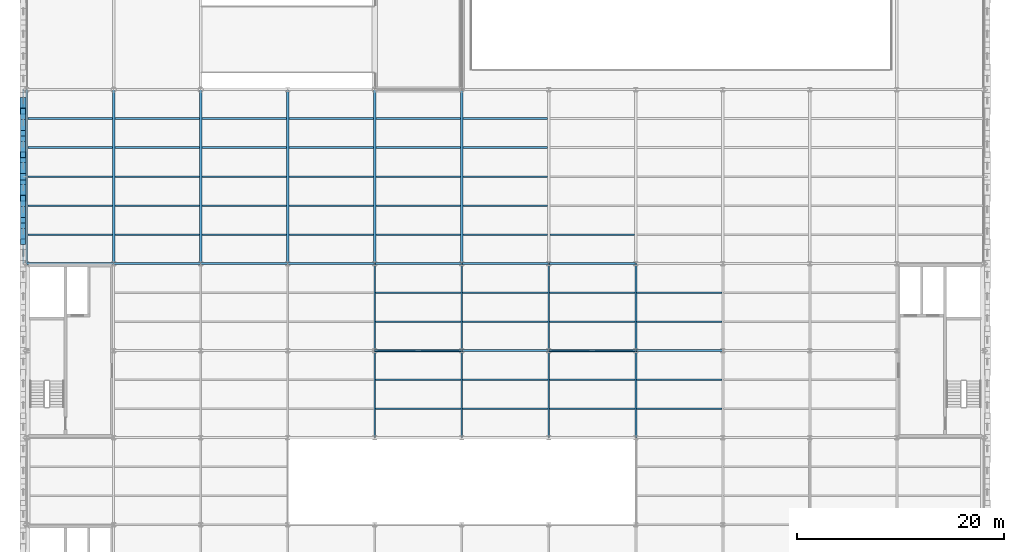
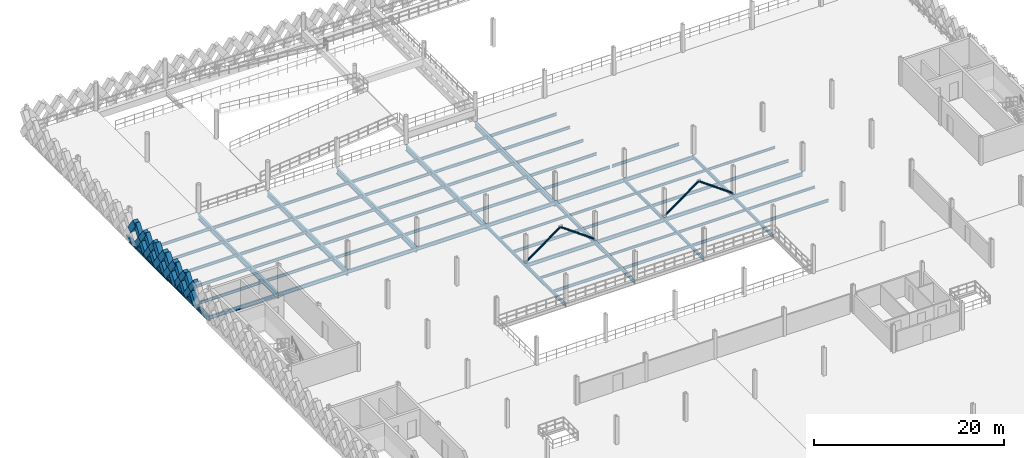
# One storey, part 23 of 62: 72 beams, 25 members.
"""IFC4 building model written with IfcOpenShell, lengths in metres."""

from ifc_helpers import new_model, si_unit, direction, frame, origin, origin_2d, place, context, subcontext, project, spatial, rectangle, hollow_rectangle, hollow_circle, i_section, extrude, material, material_profile, profile_set, type_object, element, save


model = new_model("IFC4")

# Units and contexts
model_context = context("Model", 3, precision=1e-05, world=origin(), true_north=direction((0.0, 1.0)))
body_context = subcontext(model_context, "Body", "Model", "MODEL_VIEW")
ifc_project = project(units=[si_unit("LENGTHUNIT", "METRE"), si_unit("AREAUNIT", "SQUARE_METRE"), si_unit("VOLUMEUNIT", "CUBIC_METRE"), si_unit("PLANEANGLEUNIT", "RADIAN"), si_unit("MASSUNIT", "GRAM", prefix="KILO"), si_unit("THERMODYNAMICTEMPERATUREUNIT", "KELVIN"), si_unit("POWERUNIT", "WATT")], contexts=[model_context])

# Site, building, storey
site_placement = place(None, origin())
site = spatial("IfcSite", under=ifc_project, at=site_placement, CompositionType="ELEMENT")
building_placement = place(site_placement, origin())
building = spatial("IfcBuilding", under=site, at=building_placement, Name="Tembeka Court Mobility Hub", CompositionType="ELEMENT")
storey_placement = place(building_placement, frame((0.0, 0.0, 16.199951171875)))
storey = spatial("IfcBuildingStorey", under=building, at=storey_placement, Name="L04", CompositionType="ELEMENT", Elevation=16.199951171875)

# Beams
ifc_material_1 = material(Name="Steel S355", Category="steel")
ifc_material_profile_1 = material_profile(ifc_material_1, i_section(OverallWidth=0.18994140625, OverallDepth=0.45703125, WebThickness=0.009033203125, FlangeThickness=0.014404296875, FilletRadius=0.01025390625, at=origin_2d()), Name="UKB 457x191x74")
ifc_profile_set_1 = profile_set([ifc_material_profile_1], Name="Steel S355")
beam_type_1 = type_object("IfcBeamType", Name="BM-B01", PredefinedType="BEAM", material=ifc_profile_set_1)
for number, where, z_axis, x_axis, name in (
    (1, (33.60009765625, 72.0, -0.448486328125), (1.0, 0.0, 0.0), (0.0, 1.0, 0.0), "Beam B01 (BM-L04-X2272)"),
    (2, (42.0, 72.0, -0.448486328125), (1.0, 0.0, 0.0), (0.0, 1.0, 0.0), "Beam B01 (BM-L04-X2273)"),
):
    element("IfcBeam", number, at=place(storey_placement, frame(where, z_axis=z_axis, x_axis=x_axis)), inside=storey, type_object=beam_type_1, Name=name, PredefinedType="BEAM", context=body_context, shape_type="SweptSolid", body=[
        extrude(i_section(OverallWidth=0.18994140625, OverallDepth=0.45703125, WebThickness=0.009033203125, FlangeThickness=0.014404296875, FilletRadius=0.01025390625, at=origin_2d()), origin(), (0.0, 0.0, 1.0), 8.39990234375),
    ])
beam_1_placement = place(storey_placement, frame((50.39990234375, 72.0, -0.448486328125), z_axis=(1.0, 0.0, 0.0), x_axis=(0.0, 1.0, 0.0)))
element("IfcBeam", 3, at=beam_1_placement, inside=storey, type_object=beam_type_1, Name="Beam B01 (BM-L04-X2274)", PredefinedType="BEAM", context=body_context, shape_type="SweptSolid", body=[
    extrude(i_section(OverallWidth=0.18994140625, OverallDepth=0.45703125, WebThickness=0.009033203125, FlangeThickness=0.014404296875, FilletRadius=0.01025390625, at=origin_2d()), origin(), (0.0, 0.0, 1.0), 8.400146484375),
])
for number, where, z_axis, x_axis, name in (
    (4, (58.800048828125, 72.0, -0.448486328125), (1.0, 0.0, 0.0), (0.0, 1.0, 0.0), "Beam B01 (BM-L04-X2275)"),
    (5, (0.0, 80.39990234375, -0.448486328125), (1.0, 0.0, 0.0), (0.0, 1.0, 0.0), "Beam B01 (BM-L04-X2278)"),
):
    element("IfcBeam", number, at=place(storey_placement, frame(where, z_axis=z_axis, x_axis=x_axis)), inside=storey, type_object=beam_type_1, Name=name, PredefinedType="BEAM", context=body_context, shape_type="SweptSolid", body=[
        extrude(i_section(OverallWidth=0.18994140625, OverallDepth=0.45703125, WebThickness=0.009033203125, FlangeThickness=0.014404296875, FilletRadius=0.01025390625, at=origin_2d()), origin(), (0.0, 0.0, 1.0), 8.39990234375),
    ])
beam_2_placement = place(storey_placement, frame((8.39990234375, 80.39990234375, -0.448486328125), z_axis=(1.0, 0.0, 0.0), x_axis=(0.0, 1.0, 0.0)))
element("IfcBeam", 6, at=beam_2_placement, inside=storey, type_object=beam_type_1, Name="Beam B01 (BM-L04-X2279)", PredefinedType="BEAM", context=body_context, shape_type="SweptSolid", body=[
    extrude(i_section(OverallWidth=0.18994140625, OverallDepth=0.45703125, WebThickness=0.009033203125, FlangeThickness=0.014404296875, FilletRadius=0.01025390625, at=origin_2d()), origin(), (0.0, 0.0, 1.0), 8.400146484375),
])
beam_3_placement = place(storey_placement, frame((16.800048828125, 80.39990234375, -0.448486328125), z_axis=(1.0, 0.0, 0.0), x_axis=(0.0, 1.0, 0.0)))
element("IfcBeam", 7, at=beam_3_placement, inside=storey, type_object=beam_type_1, Name="Beam B01 (BM-L04-X2280)", PredefinedType="BEAM", context=body_context, shape_type="SweptSolid", body=[
    extrude(i_section(OverallWidth=0.18994140625, OverallDepth=0.45703125, WebThickness=0.009033203125, FlangeThickness=0.014404296875, FilletRadius=0.01025390625, at=origin_2d()), origin(), (0.0, 0.0, 1.0), 8.39990234375),
])
beam_4_placement = place(storey_placement, frame((25.199951171875, 80.39990234375, -0.448486328125), z_axis=(1.0, 0.0, 0.0), x_axis=(0.0, 1.0, 0.0)))
element("IfcBeam", 8, at=beam_4_placement, inside=storey, type_object=beam_type_1, Name="Beam B01 (BM-L04-X2281)", PredefinedType="BEAM", context=body_context, shape_type="SweptSolid", body=[
    extrude(i_section(OverallWidth=0.18994140625, OverallDepth=0.45703125, WebThickness=0.009033203125, FlangeThickness=0.014404296875, FilletRadius=0.01025390625, at=origin_2d()), origin(), (0.0, 0.0, 1.0), 8.400146484375),
])
for number, where, z_axis, x_axis, name in (
    (9, (33.60009765625, 80.39990234375, -0.448486328125), (1.0, 0.0, 0.0), (0.0, 1.0, 0.0), "Beam B01 (BM-L04-X2282)"),
    (10, (42.0, 80.39990234375, -0.448486328125), (1.0, 0.0, 0.0), (0.0, 1.0, 0.0), "Beam B01 (BM-L04-X2283)"),
):
    element("IfcBeam", number, at=place(storey_placement, frame(where, z_axis=z_axis, x_axis=x_axis)), inside=storey, type_object=beam_type_1, Name=name, PredefinedType="BEAM", context=body_context, shape_type="SweptSolid", body=[
        extrude(i_section(OverallWidth=0.18994140625, OverallDepth=0.45703125, WebThickness=0.009033203125, FlangeThickness=0.014404296875, FilletRadius=0.01025390625, at=origin_2d()), origin(), (0.0, 0.0, 1.0), 8.39990234375),
    ])
beam_5_placement = place(storey_placement, frame((50.39990234375, 80.39990234375, -0.448486328125), z_axis=(1.0, 0.0, 0.0), x_axis=(0.0, 1.0, 0.0)))
element("IfcBeam", 11, at=beam_5_placement, inside=storey, type_object=beam_type_1, Name="Beam B01 (BM-L04-X2284)", PredefinedType="BEAM", context=body_context, shape_type="SweptSolid", body=[
    extrude(i_section(OverallWidth=0.18994140625, OverallDepth=0.45703125, WebThickness=0.009033203125, FlangeThickness=0.014404296875, FilletRadius=0.01025390625, at=origin_2d()), origin(), (0.0, 0.0, 1.0), 8.400146484375),
])
ifc_material_profile_2 = material_profile(ifc_material_1, i_section(OverallWidth=0.177978515625, OverallDepth=0.406005859375, WebThickness=0.0078125, FlangeThickness=0.0126953125, FilletRadius=0.01025390625, at=origin_2d()), Name="UKB 406x178x60")
ifc_profile_set_2 = profile_set([ifc_material_profile_2], Name="Steel S355")
beam_type_2 = type_object("IfcBeamType", Name="BM-B02", PredefinedType="BEAM", material=ifc_profile_set_2)
for number, where, z_axis, x_axis, name in (
    (12, (33.60009765625, 63.60009765625, -0.4228515625), (0.0, 1.0, 0.0), (-1.0, 0.0, 0.0), "Beam B02 (BM-L04-Y2356)"),
    (13, (33.60009765625, 72.0, -0.4228515625), (0.0, 1.0, 0.0), (-1.0, 0.0, 0.0), "Beam B02 (BM-L04-Y2357)"),
    (14, (42.0, 63.60009765625, -0.4228515625), (0.0, 1.0, 0.0), (-1.0, 0.0, 0.0), "Beam B02 (BM-L04-Y2364)"),
    (15, (42.0, 72.0, -0.4228515625), (0.0, 1.0, 0.0), (-1.0, 0.0, 0.0), "Beam B02 (BM-L04-Y2365)"),
    (16, (50.39990234375, 63.60009765625, -0.4228515625), (0.0, 1.0, 0.0), (-1.0, 0.0, 0.0), "Beam B02 (BM-L04-Y2372)"),
    (17, (50.39990234375, 72.0, -0.4228515625), (0.0, 1.0, 0.0), (-1.0, 0.0, 0.0), "Beam B02 (BM-L04-Y2373)"),
    (18, (58.800048828125, 63.60009765625, -0.4228515625), (0.0, 1.0, 0.0), (-1.0, 0.0, 0.0), "Beam B02 (BM-L04-Y2379)"),
    (19, (58.800048828125, 72.0, -0.4228515625), (0.0, 1.0, 0.0), (-1.0, 0.0, 0.0), "Beam B02 (BM-L04-Y2380)"),
):
    element("IfcBeam", number, at=place(storey_placement, frame(where, z_axis=z_axis, x_axis=x_axis)), inside=storey, type_object=beam_type_2, Name=name, PredefinedType="BEAM", context=body_context, shape_type="SweptSolid", body=[
        extrude(i_section(OverallWidth=0.177978515625, OverallDepth=0.406005859375, WebThickness=0.0078125, FlangeThickness=0.0126953125, FilletRadius=0.01025390625, at=origin_2d()), origin(), (0.0, 0.0, 1.0), 8.39990234375),
    ])
ifc_material_profile_3 = material_profile(ifc_material_1, i_section(OverallWidth=0.25390625, OverallDepth=0.68408203125, WebThickness=0.012451171875, FlangeThickness=0.01904296875, FilletRadius=0.01513671875, at=origin_2d()), Name="UKB 686x254x140")
ifc_profile_set_3 = profile_set([ifc_material_profile_3], Name="Steel S355")
beam_type_3 = type_object("IfcBeamType", Name="BM-G01", PredefinedType="USERDEFINED", material=ifc_profile_set_3)
for number, where, z_axis, x_axis, name in (
    (20, (0.0, 80.39990234375, -0.56201171875), (0.0, 1.0, 0.0), (-1.0, 0.0, 0.0), "Beam G01 (BM-L04-Y2321)"),
    (21, (8.39990234375, 80.39990234375, -0.592041015625), (0.0, 1.0, 0.0), (-1.0, 0.0, 0.0), "Beam G01 (BM-L04-Y2332)"),
    (22, (16.800048828125, 80.39990234375, -0.592041015625), (0.0, 1.0, 0.0), (-1.0, 0.0, 0.0), "Beam G01 (BM-L04-Y2343)"),
    (23, (25.199951171875, 80.39990234375, -0.56201171875), (0.0, 1.0, 0.0), (-1.0, 0.0, 0.0), "Beam G01 (BM-L04-Y2352)"),
    (24, (33.60009765625, 80.39990234375, -0.56201171875), (0.0, 1.0, 0.0), (-1.0, 0.0, 0.0), "Beam G01 (BM-L04-Y2358)"),
    (25, (42.0, 80.39990234375, -0.56201171875), (0.0, 1.0, 0.0), (-1.0, 0.0, 0.0), "Beam G01 (BM-L04-Y2366)"),
):
    element("IfcBeam", number, at=place(storey_placement, frame(where, z_axis=z_axis, x_axis=x_axis)), inside=storey, type_object=beam_type_3, Name=name, ObjectType="GIRDER", PredefinedType="USERDEFINED", context=body_context, shape_type="SweptSolid", body=[
        extrude(i_section(OverallWidth=0.25390625, OverallDepth=0.68408203125, WebThickness=0.012451171875, FlangeThickness=0.01904296875, FilletRadius=0.01513671875, at=origin_2d()), origin(), (0.0, 0.0, 1.0), 16.800048828125),
    ])
ifc_material_profile_4 = material_profile(ifc_material_1, i_section(OverallWidth=0.172119140625, OverallDepth=0.35498046875, WebThickness=0.00732421875, FlangeThickness=0.011474609375, FilletRadius=0.01025390625, at=origin_2d()), Name="UKB 356x171x51")
ifc_profile_set_4 = profile_set([ifc_material_profile_4], Name="Steel S355")
beam_type_4 = type_object("IfcBeamType", Name="BM-J01", PredefinedType="JOIST", material=ifc_profile_set_4)
for number, where, z_axis, x_axis, name in (
    (26, (0.1220703125, 83.199951171875, -0.3974609375), (1.0, 0.0, 0.0), (0.0, 1.0, 0.0), "Beam J01 (JST-L04-2445)"),
    (27, (0.1220703125, 86.0, -0.3974609375), (1.0, 0.0, 0.0), (0.0, 1.0, 0.0), "Beam J01 (JST-L04-2446)"),
    (28, (0.1220703125, 88.800048828125, -0.3974609375), (1.0, 0.0, 0.0), (0.0, 1.0, 0.0), "Beam J01 (JST-L04-2447)"),
    (29, (0.1220703125, 91.60009765625, -0.3974609375), (1.0, 0.0, 0.0), (0.0, 1.0, 0.0), "Beam J01 (JST-L04-2448)"),
    (30, (0.1220703125, 94.39990234375, -0.3974609375), (1.0, 0.0, 0.0), (0.0, 1.0, 0.0), "Beam J01 (JST-L04-2449)"),
    (31, (8.52197265625, 83.199951171875, -0.3974609375), (1.0, 0.0, 0.0), (0.0, 1.0, 0.0), "Beam J01 (JST-L04-2465)"),
    (32, (8.52197265625, 86.0, -0.3974609375), (1.0, 0.0, 0.0), (0.0, 1.0, 0.0), "Beam J01 (JST-L04-2466)"),
    (33, (8.52197265625, 88.800048828125, -0.3974609375), (1.0, 0.0, 0.0), (0.0, 1.0, 0.0), "Beam J01 (JST-L04-2467)"),
    (34, (8.52197265625, 91.60009765625, -0.3974609375), (1.0, 0.0, 0.0), (0.0, 1.0, 0.0), "Beam J01 (JST-L04-2468)"),
    (35, (8.52197265625, 94.39990234375, -0.3974609375), (1.0, 0.0, 0.0), (0.0, 1.0, 0.0), "Beam J01 (JST-L04-2469)"),
):
    element("IfcBeam", number, at=place(storey_placement, frame(where, z_axis=z_axis, x_axis=x_axis)), inside=storey, type_object=beam_type_4, Name=name, PredefinedType="JOIST", context=body_context, shape_type="SweptSolid", body=[
        extrude(i_section(OverallWidth=0.172119140625, OverallDepth=0.35498046875, WebThickness=0.00732421875, FlangeThickness=0.011474609375, FilletRadius=0.01025390625, at=origin_2d()), origin(), (0.0, 0.0, 1.0), 8.156005859375),
    ])
for number, where, z_axis, x_axis, name in (
    (36, (16.922119140625, 83.199951171875, -0.3974609375), (1.0, 0.0, 0.0), (0.0, 1.0, 0.0), "Beam J01 (JST-L04-2485)"),
    (37, (16.922119140625, 86.0, -0.3974609375), (1.0, 0.0, 0.0), (0.0, 1.0, 0.0), "Beam J01 (JST-L04-2486)"),
    (38, (16.922119140625, 88.800048828125, -0.3974609375), (1.0, 0.0, 0.0), (0.0, 1.0, 0.0), "Beam J01 (JST-L04-2487)"),
    (39, (16.922119140625, 91.60009765625, -0.3974609375), (1.0, 0.0, 0.0), (0.0, 1.0, 0.0), "Beam J01 (JST-L04-2488)"),
    (40, (16.922119140625, 94.39990234375, -0.3974609375), (1.0, 0.0, 0.0), (0.0, 1.0, 0.0), "Beam J01 (JST-L04-2489)"),
):
    element("IfcBeam", number, at=place(storey_placement, frame(where, z_axis=z_axis, x_axis=x_axis)), inside=storey, type_object=beam_type_4, Name=name, PredefinedType="JOIST", context=body_context, shape_type="SweptSolid", body=[
        extrude(i_section(OverallWidth=0.172119140625, OverallDepth=0.35498046875, WebThickness=0.00732421875, FlangeThickness=0.011474609375, FilletRadius=0.01025390625, at=origin_2d()), origin(), (0.0, 0.0, 1.0), 8.15576171875),
    ])
for number, where, z_axis, x_axis, name in (
    (41, (25.322021484375, 83.199951171875, -0.3974609375), (1.0, 0.0, 0.0), (0.0, 1.0, 0.0), "Beam J01 (JST-L04-2503)"),
    (42, (25.322021484375, 86.0, -0.3974609375), (1.0, 0.0, 0.0), (0.0, 1.0, 0.0), "Beam J01 (JST-L04-2504)"),
    (43, (25.322021484375, 88.800048828125, -0.3974609375), (1.0, 0.0, 0.0), (0.0, 1.0, 0.0), "Beam J01 (JST-L04-2505)"),
    (44, (25.322021484375, 91.60009765625, -0.3974609375), (1.0, 0.0, 0.0), (0.0, 1.0, 0.0), "Beam J01 (JST-L04-2506)"),
    (45, (25.322021484375, 94.39990234375, -0.3974609375), (1.0, 0.0, 0.0), (0.0, 1.0, 0.0), "Beam J01 (JST-L04-2507)"),
    (46, (33.721923828125, 83.199951171875, -0.3974609375), (1.0, 0.0, 0.0), (0.0, 1.0, 0.0), "Beam J01 (JST-L04-2521)"),
    (47, (33.721923828125, 86.0, -0.3974609375), (1.0, 0.0, 0.0), (0.0, 1.0, 0.0), "Beam J01 (JST-L04-2522)"),
    (48, (33.721923828125, 88.800048828125, -0.3974609375), (1.0, 0.0, 0.0), (0.0, 1.0, 0.0), "Beam J01 (JST-L04-2523)"),
    (49, (33.721923828125, 91.60009765625, -0.3974609375), (1.0, 0.0, 0.0), (0.0, 1.0, 0.0), "Beam J01 (JST-L04-2524)"),
    (50, (33.721923828125, 94.39990234375, -0.3974609375), (1.0, 0.0, 0.0), (0.0, 1.0, 0.0), "Beam J01 (JST-L04-2525)"),
    (51, (42.1220703125, 83.199951171875, -0.3974609375), (1.0, 0.0, 0.0), (0.0, 1.0, 0.0), "Beam J01 (JST-L04-2539)"),
    (52, (42.1220703125, 86.0, -0.3974609375), (1.0, 0.0, 0.0), (0.0, 1.0, 0.0), "Beam J01 (JST-L04-2540)"),
    (53, (42.1220703125, 88.800048828125, -0.3974609375), (1.0, 0.0, 0.0), (0.0, 1.0, 0.0), "Beam J01 (JST-L04-2541)"),
    (54, (42.1220703125, 91.60009765625, -0.3974609375), (1.0, 0.0, 0.0), (0.0, 1.0, 0.0), "Beam J01 (JST-L04-2542)"),
    (55, (42.1220703125, 94.39990234375, -0.3974609375), (1.0, 0.0, 0.0), (0.0, 1.0, 0.0), "Beam J01 (JST-L04-2543)"),
    (56, (50.52197265625, 83.199951171875, -0.3974609375), (1.0, 0.0, 0.0), (0.0, 1.0, 0.0), "Beam J01 (JST-L04-2557)"),
):
    element("IfcBeam", number, at=place(storey_placement, frame(where, z_axis=z_axis, x_axis=x_axis)), inside=storey, type_object=beam_type_4, Name=name, PredefinedType="JOIST", context=body_context, shape_type="SweptSolid", body=[
        extrude(i_section(OverallWidth=0.172119140625, OverallDepth=0.35498046875, WebThickness=0.00732421875, FlangeThickness=0.011474609375, FilletRadius=0.01025390625, at=origin_2d()), origin(), (0.0, 0.0, 1.0), 8.156005859375),
    ])
ifc_material_profile_5 = material_profile(ifc_material_1, i_section(OverallWidth=0.1650390625, OverallDepth=0.303955078125, WebThickness=0.006103515625, FlangeThickness=0.01025390625, FilletRadius=0.0087890625, at=origin_2d()), Name="UKB 305x165x40")
ifc_profile_set_5 = profile_set([ifc_material_profile_5], Name="Steel S355")
beam_type_5 = type_object("IfcBeamType", Name="BM-J02", PredefinedType="JOIST", material=ifc_profile_set_5)
for number, where, z_axis, x_axis, name in (
    (57, (33.68408203125, 69.199951171875, -0.3720703125), (1.0, 0.0, 0.0), (0.0, 1.0, 0.0), "Beam J02 (JST-L04-2518)"),
    (58, (33.68408203125, 77.60009765625, -0.3720703125), (1.0, 0.0, 0.0), (0.0, 1.0, 0.0), "Beam J02 (JST-L04-2520)"),
    (59, (42.083984375, 69.199951171875, -0.3720703125), (1.0, 0.0, 0.0), (0.0, 1.0, 0.0), "Beam J02 (JST-L04-2536)"),
    (60, (42.083984375, 77.60009765625, -0.3720703125), (1.0, 0.0, 0.0), (0.0, 1.0, 0.0), "Beam J02 (JST-L04-2538)"),
):
    element("IfcBeam", number, at=place(storey_placement, frame(where, z_axis=z_axis, x_axis=x_axis)), inside=storey, type_object=beam_type_5, Name=name, PredefinedType="JOIST", context=body_context, shape_type="SweptSolid", body=[
        extrude(i_section(OverallWidth=0.1650390625, OverallDepth=0.303955078125, WebThickness=0.006103515625, FlangeThickness=0.01025390625, FilletRadius=0.0087890625, at=origin_2d()), origin(), (0.0, 0.0, 1.0), 8.23193359375),
    ])
for number, where, z_axis, x_axis, name in (
    (61, (50.48388671875, 69.199951171875, -0.3720703125), (1.0, 0.0, 0.0), (0.0, 1.0, 0.0), "Beam J02 (JST-L04-2554)"),
    (62, (50.48388671875, 77.60009765625, -0.3720703125), (1.0, 0.0, 0.0), (0.0, 1.0, 0.0), "Beam J02 (JST-L04-2556)"),
):
    element("IfcBeam", number, at=place(storey_placement, frame(where, z_axis=z_axis, x_axis=x_axis)), inside=storey, type_object=beam_type_5, Name=name, PredefinedType="JOIST", context=body_context, shape_type="SweptSolid", body=[
        extrude(i_section(OverallWidth=0.1650390625, OverallDepth=0.303955078125, WebThickness=0.006103515625, FlangeThickness=0.01025390625, FilletRadius=0.0087890625, at=origin_2d()), origin(), (0.0, 0.0, 1.0), 8.232177734375),
    ])
for number, where, z_axis, x_axis, name in (
    (63, (58.884033203125, 69.199951171875, -0.3720703125), (1.0, 0.0, 0.0), (0.0, 1.0, 0.0), "Beam J02 (JST-L04-2574)"),
    (64, (58.884033203125, 77.60009765625, -0.3720703125), (1.0, 0.0, 0.0), (0.0, 1.0, 0.0), "Beam J02 (JST-L04-2576)"),
):
    element("IfcBeam", number, at=place(storey_placement, frame(where, z_axis=z_axis, x_axis=x_axis)), inside=storey, type_object=beam_type_5, Name=name, PredefinedType="JOIST", context=body_context, shape_type="SweptSolid", body=[
        extrude(i_section(OverallWidth=0.1650390625, OverallDepth=0.303955078125, WebThickness=0.006103515625, FlangeThickness=0.01025390625, FilletRadius=0.0087890625, at=origin_2d()), origin(), (0.0, 0.0, 1.0), 8.23193359375),
    ])
ifc_material_profile_6 = material_profile(ifc_material_1, i_section(OverallWidth=0.169921875, OverallDepth=0.360107421875, WebThickness=0.008056640625, FlangeThickness=0.0126953125, FilletRadius=0.01806640625, at=origin_2d()), Name="IPE 360")
ifc_profile_set_6 = profile_set([ifc_material_profile_6], Name="Steel S355")
beam_type_6 = type_object("IfcBeamType", Name="BM-J03", PredefinedType="JOIST", material=ifc_profile_set_6)
for number, where, z_axis, x_axis, name in (
    (65, (33.68408203125, 66.39990234375, -0.39990234375), (1.0, 0.0, 0.0), (0.0, 1.0, 0.0), "Beam J03 (JST-L04-2517)"),
    (66, (33.68408203125, 74.800048828125, -0.39990234375), (1.0, 0.0, 0.0), (0.0, 1.0, 0.0), "Beam J03 (JST-L04-2519)"),
    (67, (42.083984375, 66.39990234375, -0.39990234375), (1.0, 0.0, 0.0), (0.0, 1.0, 0.0), "Beam J03 (JST-L04-2535)"),
    (68, (42.083984375, 74.800048828125, -0.39990234375), (1.0, 0.0, 0.0), (0.0, 1.0, 0.0), "Beam J03 (JST-L04-2537)"),
):
    element("IfcBeam", number, at=place(storey_placement, frame(where, z_axis=z_axis, x_axis=x_axis)), inside=storey, type_object=beam_type_6, Name=name, PredefinedType="JOIST", context=body_context, shape_type="SweptSolid", body=[
        extrude(i_section(OverallWidth=0.169921875, OverallDepth=0.360107421875, WebThickness=0.008056640625, FlangeThickness=0.0126953125, FilletRadius=0.01806640625, at=origin_2d()), origin(), (0.0, 0.0, 1.0), 8.23193359375),
    ])
for number, where, z_axis, x_axis, name in (
    (69, (50.48388671875, 66.39990234375, -0.39990234375), (1.0, 0.0, 0.0), (0.0, 1.0, 0.0), "Beam J03 (JST-L04-2553)"),
    (70, (50.48388671875, 74.800048828125, -0.39990234375), (1.0, 0.0, 0.0), (0.0, 1.0, 0.0), "Beam J03 (JST-L04-2555)"),
):
    element("IfcBeam", number, at=place(storey_placement, frame(where, z_axis=z_axis, x_axis=x_axis)), inside=storey, type_object=beam_type_6, Name=name, PredefinedType="JOIST", context=body_context, shape_type="SweptSolid", body=[
        extrude(i_section(OverallWidth=0.169921875, OverallDepth=0.360107421875, WebThickness=0.008056640625, FlangeThickness=0.0126953125, FilletRadius=0.01806640625, at=origin_2d()), origin(), (0.0, 0.0, 1.0), 8.232177734375),
    ])
for number, where, z_axis, x_axis, name in (
    (71, (58.884033203125, 66.39990234375, -0.39990234375), (1.0, 0.0, 0.0), (0.0, 1.0, 0.0), "Beam J03 (JST-L04-2573)"),
    (72, (58.884033203125, 74.800048828125, -0.39990234375), (1.0, 0.0, 0.0), (0.0, 1.0, 0.0), "Beam J03 (JST-L04-2575)"),
):
    element("IfcBeam", number, at=place(storey_placement, frame(where, z_axis=z_axis, x_axis=x_axis)), inside=storey, type_object=beam_type_6, Name=name, PredefinedType="JOIST", context=body_context, shape_type="SweptSolid", body=[
        extrude(i_section(OverallWidth=0.169921875, OverallDepth=0.360107421875, WebThickness=0.008056640625, FlangeThickness=0.0126953125, FilletRadius=0.01806640625, at=origin_2d()), origin(), (0.0, 0.0, 1.0), 8.23193359375),
    ])

# Members
ifc_material_profile_7 = material_profile(ifc_material_1, hollow_circle(Radius=0.109619140625, WallThickness=0.010009765625, at=origin_2d()), Name="CHS 219.1x10")
ifc_profile_set_7 = profile_set([ifc_material_profile_7], Name="Steel S355")
member_type_1 = type_object("IfcMemberType", Name="MEM-BR01", PredefinedType="BRACE", material=ifc_profile_set_7)
for number, where, z_axis, x_axis, name in (
    (73, (33.60009765625, 72.0, 0.02001953125), (0.81097870636, 0.0, 0.585075668466), (0.0, 1.0, 0.0), "Steel chevron brace BR01 (L04-5A)"),
    (74, (42.0, 72.0, 0.02001953125), (-0.81097870636, 0.0, 0.585075668466), (0.0, -1.0, 0.0), "Steel chevron brace BR01 (L04-5B)"),
    (75, (50.39990234375, 72.0, 0.02001953125), (0.810994842677, 0.0, 0.58505330112), (0.0, 1.0, 0.0), "Steel chevron brace BR01 (L04-11A)"),
    (76, (58.800048828125, 72.0, 0.02001953125), (-0.81097870636, 0.0, 0.585075668466), (0.0, -1.0, 0.0), "Steel chevron brace BR01 (L04-11B)"),
):
    element("IfcMember", number, at=place(storey_placement, frame(where, z_axis=z_axis, x_axis=x_axis)), inside=storey, type_object=member_type_1, Name=name, PredefinedType="BRACE", context=body_context, shape_type="SweptSolid", body=[
        extrude(hollow_circle(Radius=0.109619140625, WallThickness=0.010009765625, at=origin_2d()), origin(), (0.0, 0.0, 1.0), 5.178955078125),
    ])
ifc_material_2 = material(Name="Precast concrete C45/55", Category="concrete")
ifc_material_profile_8 = material_profile(ifc_material_2, rectangle(XDim=0.5, YDim=0.64990234375, at=origin_2d()), Name="PC-DIAG 500x650")
ifc_profile_set_8 = profile_set([ifc_material_profile_8], Name="Precast concrete C45/55")
member_type_2 = type_object("IfcMemberType", Name="MEM-DL01", PredefinedType="BRACE", material=ifc_profile_set_8)
member_1_placement = place(storey_placement, frame((-0.340087890625, 82.5, 0.02001953125), z_axis=(0.0, 0.582576362011, 0.812775973086), x_axis=(-1.0, 0.0, 0.0)))
element("IfcMember", 77, at=member_1_placement, inside=storey, type_object=member_type_2, Name="Precast diamond lattice continuous strand DL01 (L04-716C)", PredefinedType="BRACE", context=body_context, shape_type="SweptSolid", body=[
    extrude(rectangle(XDim=0.5, YDim=0.64990234375, at=origin_2d()), origin(), (0.0, 0.0, 1.0), 3.604736328125),
])
member_2_placement = place(storey_placement, frame((-0.340087890625, 84.60009765625, 0.02001953125), z_axis=(0.0, -0.582544294934, 0.812798956963), x_axis=(1.0, 0.0, 0.0)))
element("IfcMember", 78, at=member_2_placement, inside=storey, type_object=member_type_2, Name="Precast diamond lattice split lower strand DL01 (L04-716D1)", PredefinedType="BRACE", context=body_context, shape_type="SweptSolid", body=[
    extrude(rectangle(XDim=0.5, YDim=0.64990234375, at=origin_2d()), origin(), (0.0, 0.0, 1.0), 1.802490234375),
])
member_3_placement = place(storey_placement, frame((-0.340087890625, 83.550048828125, 1.485107421875), z_axis=(0.0, -0.582608431711, 0.812752985414), x_axis=(1.0, 0.0, 0.0)))
element("IfcMember", 79, at=member_3_placement, inside=storey, type_object=member_type_2, Name="Precast diamond lattice split upper strand DL01 (L04-716D2)", PredefinedType="BRACE", context=body_context, shape_type="SweptSolid", body=[
    extrude(rectangle(XDim=0.5, YDim=0.64990234375, at=origin_2d()), origin(), (0.0, 0.0, 1.0), 1.80224609375),
])
member_4_placement = place(storey_placement, frame((-0.340087890625, 84.60009765625, 0.02001953125), z_axis=(0.0, 0.58253161945, 0.812808041509), x_axis=(-1.0, 0.0, 0.0)))
element("IfcMember", 80, at=member_4_placement, inside=storey, type_object=member_type_2, Name="Precast diamond lattice continuous strand DL01 (L04-717C)", PredefinedType="BRACE", context=body_context, shape_type="SweptSolid", body=[
    extrude(rectangle(XDim=0.5, YDim=0.64990234375, at=origin_2d()), origin(), (0.0, 0.0, 1.0), 3.604736328125),
])
member_5_placement = place(storey_placement, frame((-0.340087890625, 86.699951171875, 0.02001953125), z_axis=(0.0, -0.582544294934, 0.812798956963), x_axis=(1.0, 0.0, 0.0)))
element("IfcMember", 81, at=member_5_placement, inside=storey, type_object=member_type_2, Name="Precast diamond lattice split lower strand DL01 (L04-717D1)", PredefinedType="BRACE", context=body_context, shape_type="SweptSolid", body=[
    extrude(rectangle(XDim=0.5, YDim=0.64990234375, at=origin_2d()), origin(), (0.0, 0.0, 1.0), 1.802490234375),
])
member_6_placement = place(storey_placement, frame((-0.340087890625, 85.64990234375, 1.485107421875), z_axis=(0.0, -0.582518941428, 0.812817127574), x_axis=(1.0, 0.0, 0.0)))
element("IfcMember", 82, at=member_6_placement, inside=storey, type_object=member_type_2, Name="Precast diamond lattice split upper strand DL01 (L04-717D2)", PredefinedType="BRACE", context=body_context, shape_type="SweptSolid", body=[
    extrude(rectangle(XDim=0.5, YDim=0.64990234375, at=origin_2d()), origin(), (0.0, 0.0, 1.0), 1.80224609375),
])
member_7_placement = place(storey_placement, frame((-0.340087890625, 90.89990234375, 0.02001953125), z_axis=(0.0, 0.582576362011, 0.812775973086), x_axis=(-1.0, 0.0, 0.0)))
element("IfcMember", 83, at=member_7_placement, inside=storey, type_object=member_type_2, Name="Precast diamond lattice continuous strand DL01 (L04-720C)", PredefinedType="BRACE", context=body_context, shape_type="SweptSolid", body=[
    extrude(rectangle(XDim=0.5, YDim=0.64990234375, at=origin_2d()), origin(), (0.0, 0.0, 1.0), 3.604736328125),
])
member_8_placement = place(storey_placement, frame((-0.340087890625, 93.0, 0.02001953125), z_axis=(0.0, -0.582544294934, 0.812798956963), x_axis=(1.0, 0.0, 0.0)))
element("IfcMember", 84, at=member_8_placement, inside=storey, type_object=member_type_2, Name="Precast diamond lattice split lower strand DL01 (L04-720D1)", PredefinedType="BRACE", context=body_context, shape_type="SweptSolid", body=[
    extrude(rectangle(XDim=0.5, YDim=0.64990234375, at=origin_2d()), origin(), (0.0, 0.0, 1.0), 1.802490234375),
])
member_9_placement = place(storey_placement, frame((-0.340087890625, 91.949951171875, 1.485107421875), z_axis=(0.0, -0.582608431711, 0.812752985414), x_axis=(1.0, 0.0, 0.0)))
element("IfcMember", 85, at=member_9_placement, inside=storey, type_object=member_type_2, Name="Precast diamond lattice split upper strand DL01 (L04-720D2)", PredefinedType="BRACE", context=body_context, shape_type="SweptSolid", body=[
    extrude(rectangle(XDim=0.5, YDim=0.64990234375, at=origin_2d()), origin(), (0.0, 0.0, 1.0), 1.80224609375),
])
member_10_placement = place(storey_placement, frame((-0.340087890625, 93.0, 0.02001953125), z_axis=(0.0, 0.582576362011, 0.812775973086), x_axis=(-1.0, 0.0, 0.0)))
element("IfcMember", 86, at=member_10_placement, inside=storey, type_object=member_type_2, Name="Precast diamond lattice continuous strand DL01 (L04-721C)", PredefinedType="BRACE", context=body_context, shape_type="SweptSolid", body=[
    extrude(rectangle(XDim=0.5, YDim=0.64990234375, at=origin_2d()), origin(), (0.0, 0.0, 1.0), 3.604736328125),
])
member_11_placement = place(storey_placement, frame((-0.340087890625, 95.10009765625, 0.02001953125), z_axis=(0.0, -0.582544294934, 0.812798956963), x_axis=(1.0, 0.0, 0.0)))
element("IfcMember", 87, at=member_11_placement, inside=storey, type_object=member_type_2, Name="Precast diamond lattice split lower strand DL01 (L04-721D1)", PredefinedType="BRACE", context=body_context, shape_type="SweptSolid", body=[
    extrude(rectangle(XDim=0.5, YDim=0.64990234375, at=origin_2d()), origin(), (0.0, 0.0, 1.0), 1.802490234375),
])
member_12_placement = place(storey_placement, frame((-0.340087890625, 94.050048828125, 1.485107421875), z_axis=(0.0, -0.582608431711, 0.812752985414), x_axis=(1.0, 0.0, 0.0)))
element("IfcMember", 88, at=member_12_placement, inside=storey, type_object=member_type_2, Name="Precast diamond lattice split upper strand DL01 (L04-721D2)", PredefinedType="BRACE", context=body_context, shape_type="SweptSolid", body=[
    extrude(rectangle(XDim=0.5, YDim=0.64990234375, at=origin_2d()), origin(), (0.0, 0.0, 1.0), 1.80224609375),
])
ifc_material_profile_9 = material_profile(ifc_material_2, rectangle(XDim=0.60009765625, YDim=0.75, at=origin_2d()), Name="PC-DIAG 600x750")
ifc_profile_set_9 = profile_set([ifc_material_profile_9], Name="Precast concrete C45/55")
member_type_3 = type_object("IfcMemberType", Name="MEM-DL02", PredefinedType="BRACE", material=ifc_profile_set_9)
member_13_placement = place(storey_placement, frame((-0.340087890625, 86.699951171875, 0.02001953125), z_axis=(0.0, 0.582576362011, 0.812775973086), x_axis=(-1.0, 0.0, 0.0)))
element("IfcMember", 89, at=member_13_placement, inside=storey, type_object=member_type_3, Name="Precast diamond lattice continuous strand DL02 (L04-718C)", PredefinedType="BRACE", context=body_context, shape_type="SweptSolid", body=[
    extrude(rectangle(XDim=0.60009765625, YDim=0.75, at=origin_2d()), origin(), (0.0, 0.0, 1.0), 3.604736328125),
])
member_14_placement = place(storey_placement, frame((-0.340087890625, 88.800048828125, 0.02001953125), z_axis=(0.0, -0.582544294934, 0.812798956963), x_axis=(1.0, 0.0, 0.0)))
element("IfcMember", 90, at=member_14_placement, inside=storey, type_object=member_type_3, Name="Precast diamond lattice split lower strand DL02 (L04-718D1)", PredefinedType="BRACE", context=body_context, shape_type="SweptSolid", body=[
    extrude(rectangle(XDim=0.60009765625, YDim=0.75, at=origin_2d()), origin(), (0.0, 0.0, 1.0), 1.802490234375),
])
member_15_placement = place(storey_placement, frame((-0.340087890625, 87.75, 1.485107421875), z_axis=(0.0, -0.582608431711, 0.812752985414), x_axis=(1.0, 0.0, 0.0)))
element("IfcMember", 91, at=member_15_placement, inside=storey, type_object=member_type_3, Name="Precast diamond lattice split upper strand DL02 (L04-718D2)", PredefinedType="BRACE", context=body_context, shape_type="SweptSolid", body=[
    extrude(rectangle(XDim=0.60009765625, YDim=0.75, at=origin_2d()), origin(), (0.0, 0.0, 1.0), 1.80224609375),
])
member_16_placement = place(storey_placement, frame((-0.340087890625, 88.800048828125, 0.02001953125), z_axis=(0.0, 0.58253161945, 0.812808041509), x_axis=(-1.0, 0.0, 0.0)))
element("IfcMember", 92, at=member_16_placement, inside=storey, type_object=member_type_3, Name="Precast diamond lattice continuous strand DL02 (L04-719C)", PredefinedType="BRACE", context=body_context, shape_type="SweptSolid", body=[
    extrude(rectangle(XDim=0.60009765625, YDim=0.75, at=origin_2d()), origin(), (0.0, 0.0, 1.0), 3.604736328125),
])
member_17_placement = place(storey_placement, frame((-0.340087890625, 90.89990234375, 0.02001953125), z_axis=(0.0, -0.582454804382, 0.812863088627), x_axis=(1.0, 0.0, 0.0)))
element("IfcMember", 93, at=member_17_placement, inside=storey, type_object=member_type_3, Name="Precast diamond lattice split lower strand DL02 (L04-719D1)", PredefinedType="BRACE", context=body_context, shape_type="SweptSolid", body=[
    extrude(rectangle(XDim=0.60009765625, YDim=0.75, at=origin_2d()), origin(), (0.0, 0.0, 1.0), 1.802490234375),
])
for number, where, z_axis, x_axis, name in (
    (94, (-0.340087890625, 89.85009765625, 1.485107421875), (0.0, -0.582608431711, 0.812752985414), (1.0, 0.0, 0.0), "Precast diamond lattice split upper strand DL02 (L04-719D2)"),
    (95, (-0.340087890625, 96.14990234375, 1.485107421875), (0.0, -0.582518941428, 0.812817127574), (1.0, 0.0, 0.0), "Precast diamond lattice split upper strand DL02 (L04-722D2)"),
):
    element("IfcMember", number, at=place(storey_placement, frame(where, z_axis=z_axis, x_axis=x_axis)), inside=storey, type_object=member_type_3, Name=name, PredefinedType="BRACE", context=body_context, shape_type="SweptSolid", body=[
        extrude(rectangle(XDim=0.60009765625, YDim=0.75, at=origin_2d()), origin(), (0.0, 0.0, 1.0), 1.80224609375),
    ])
ifc_material_profile_10 = material_profile(ifc_material_1, hollow_rectangle(XDim=0.14990234375, YDim=0.300048828125, WallThickness=0.010009765625, at=origin_2d()), Name="RHS 300x150x10")
ifc_profile_set_10 = profile_set([ifc_material_profile_10], Name="Steel S355")
member_type_4 = type_object("IfcMemberType", Name="MEM-ST03", PredefinedType="STRUT", material=ifc_profile_set_10)
member_18_placement = place(storey_placement, frame((-0.340087890625, 80.39990234375, 0.02001953125), z_axis=(0.0, 1.0, 0.0), x_axis=(-1.0, 0.0, 0.0)))
element("IfcMember", 96, at=member_18_placement, inside=storey, type_object=member_type_4, Name="Proud lattice sill tie chord SR03 (L04-W-80)", PredefinedType="STRUT", context=body_context, shape_type="SweptSolid", body=[
    extrude(hollow_rectangle(XDim=0.14990234375, YDim=0.300048828125, WallThickness=0.010009765625, at=origin_2d()), origin(), (0.0, 0.0, 1.0), 8.400146484375),
])
member_19_placement = place(storey_placement, frame((-0.340087890625, 88.800048828125, 0.02001953125), z_axis=(0.0, 1.0, 0.0), x_axis=(-1.0, 0.0, 0.0)))
element("IfcMember", 97, at=member_19_placement, inside=storey, type_object=member_type_4, Name="Proud lattice sill tie chord SR03 (L04-W-88)", PredefinedType="STRUT", context=body_context, shape_type="SweptSolid", body=[
    extrude(hollow_rectangle(XDim=0.14990234375, YDim=0.300048828125, WallThickness=0.010009765625, at=origin_2d()), origin(), (0.0, 0.0, 1.0), 8.39990234375),
])

save(model, "model.ifc")
